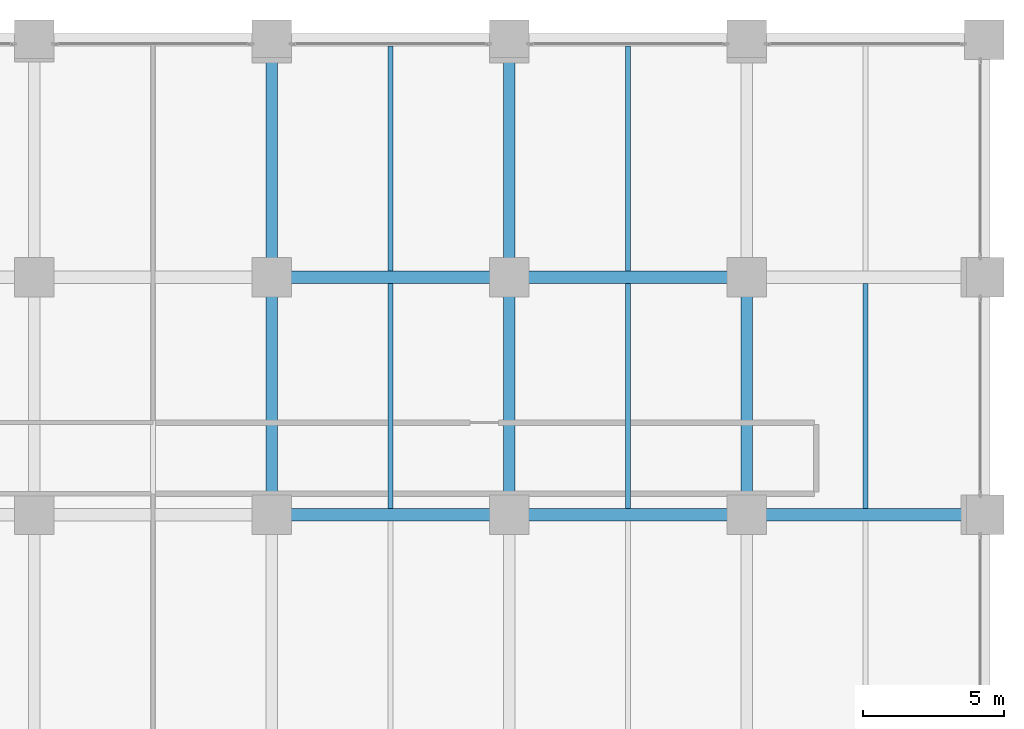
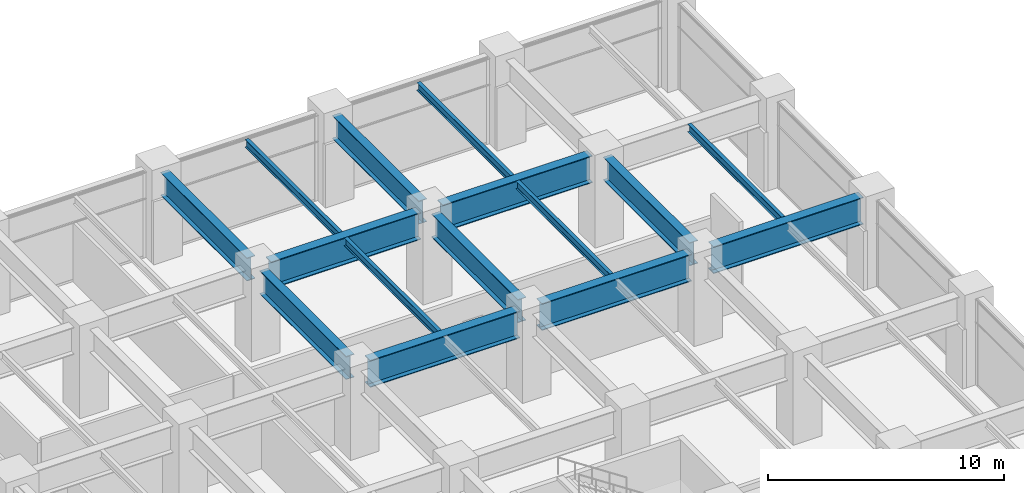
# One storey, part 14 of 24: 15 beams.
"""IFC4 building model written with IfcOpenShell, lengths in metres."""

from ifc_helpers import new_model, si_unit, direction, frame, origin, origin_2d, place, context, subcontext, project, spatial, i_section, extrude, material, material_profile, profile_set, type_object, element, save


model = new_model("IFC4")

# Units and contexts
model_context = context("Model", 3, precision=1e-05, world=origin(), true_north=direction((0.0, 1.0)))
body_context = subcontext(model_context, "Body", "Model", "MODEL_VIEW")
ifc_project = project(units=[si_unit("LENGTHUNIT", "METRE"), si_unit("AREAUNIT", "SQUARE_METRE"), si_unit("VOLUMEUNIT", "CUBIC_METRE"), si_unit("PLANEANGLEUNIT", "RADIAN"), si_unit("MASSUNIT", "GRAM", prefix="KILO")], contexts=[model_context])

# Site, building, storey
site_placement = place(None, origin())
site = spatial("IfcSite", under=ifc_project, at=site_placement, CompositionType="ELEMENT")
building_placement = place(site_placement, origin())
building = spatial("IfcBuilding", under=site, at=building_placement, Name="Nerrivon Quay Data Exchange", CompositionType="ELEMENT")
storey_placement = place(building_placement, frame((0.0, 0.0, 15.0)))
storey = spatial("IfcBuildingStorey", under=building, at=storey_placement, Name="L03", CompositionType="ELEMENT", Elevation=15.0)

# Beams
ifc_material = material(Name="Steel Grade 350", Category="steel")
ifc_material_profile_1 = material_profile(ifc_material, i_section(OverallWidth=0.177978515625, OverallDepth=0.406005859375, WebThickness=0.0078125, FlangeThickness=0.0126953125, FilletRadius=0.011474609375, at=origin_2d()), Name="410UB59.7")
ifc_profile_set_1 = profile_set([ifc_material_profile_1], Name="Steel Grade 350")
beam_type_1 = type_object("IfcBeamType", Name="BM-J1-410UB60", PredefinedType="JOIST", material=ifc_profile_set_1)
for number, where, z_axis, x_axis, name in (
    (1, (37.800048828125, 33.824951171875, 4.2470703125), (0.0, 1.0, 0.0), (-1.0, 0.0, 0.0), "L03 Secondary Joist X=37.8 (33.6..42.0)"),
    (2, (37.800048828125, 42.22509765625, 4.2470703125), (0.0, 1.0, 0.0), (-1.0, 0.0, 0.0), "L03 Secondary Joist X=37.8 (42.0..50.4)"),
    (3, (46.199951171875, 33.824951171875, 4.2470703125), (0.0, 1.0, 0.0), (-1.0, 0.0, 0.0), "L03 Secondary Joist X=46.2 (33.6..42.0)"),
    (4, (46.199951171875, 42.22509765625, 4.2470703125), (0.0, 1.0, 0.0), (-1.0, 0.0, 0.0), "L03 Secondary Joist X=46.2 (42.0..50.4)"),
    (5, (54.60009765625, 33.824951171875, 4.2470703125), (0.0, 1.0, 0.0), (-1.0, 0.0, 0.0), "L03 Secondary Joist X=54.6 (33.6..42.0)"),
):
    element("IfcBeam", number, at=place(storey_placement, frame(where, z_axis=z_axis, x_axis=x_axis)), inside=storey, type_object=beam_type_1, Name=name, PredefinedType="JOIST", context=body_context, shape_type="SweptSolid", body=[
        extrude(i_section(OverallWidth=0.177978515625, OverallDepth=0.406005859375, WebThickness=0.0078125, FlangeThickness=0.0126953125, FilletRadius=0.011474609375, at=origin_2d()), origin(), (0.0, 0.0, 1.0), 7.949951171875),
    ])
ifc_material_profile_2 = material_profile(ifc_material, i_section(OverallWidth=0.449951171875, OverallDepth=1.39990234375, WebThickness=0.02001953125, FlangeThickness=0.0400390625, at=origin_2d()), Name="1400WG455")
ifc_profile_set_2 = profile_set([ifc_material_profile_2], Name="Steel Grade 350")
beam_type_2 = type_object("IfcBeamType", Name="BM-TG1-1400WG", PredefinedType="USERDEFINED", material=ifc_profile_set_2)
for number, where, z_axis, x_axis, name in (
    (6, (34.139892578125, 33.60009765625, 3.75), (1.0, 0.0, 0.0), (0.0, 1.0, 0.0), "L03 EW Girder Y=33.6 (33.6..42.0)"),
    (7, (42.5400390625, 33.60009765625, 3.75), (1.0, 0.0, 0.0), (0.0, 1.0, 0.0), "L03 EW Girder Y=33.6 (42.0..50.4)"),
    (8, (50.93994140625, 33.60009765625, 3.75), (1.0, 0.0, 0.0), (0.0, 1.0, 0.0), "L03 EW Girder Y=33.6 (50.4..58.8)"),
    (9, (34.139892578125, 42.0, 3.75), (1.0, 0.0, 0.0), (0.0, 1.0, 0.0), "L03 EW Girder Y=42.0 (33.6..42.0)"),
    (10, (42.5400390625, 42.0, 3.75), (1.0, 0.0, 0.0), (0.0, 1.0, 0.0), "L03 EW Girder Y=42.0 (42.0..50.4)"),
):
    element("IfcBeam", number, at=place(storey_placement, frame(where, z_axis=z_axis, x_axis=x_axis)), inside=storey, type_object=beam_type_2, Name=name, ObjectType="TRANSFER", PredefinedType="USERDEFINED", context=body_context, shape_type="SweptSolid", body=[
        extrude(i_section(OverallWidth=0.449951171875, OverallDepth=1.39990234375, WebThickness=0.02001953125, FlangeThickness=0.0400390625, at=origin_2d()), origin(), (0.0, 0.0, 1.0), 7.320068359375),
    ])
ifc_material_profile_3 = material_profile(ifc_material, i_section(OverallWidth=0.39990234375, OverallDepth=1.199951171875, WebThickness=0.01611328125, FlangeThickness=0.031982421875, at=origin_2d()), Name="1200WB342")
ifc_profile_set_3 = profile_set([ifc_material_profile_3], Name="Steel Grade 350")
beam_type_3 = type_object("IfcBeamType", Name="BM-TG2-1200WB", PredefinedType="USERDEFINED", material=ifc_profile_set_3)
for number, where, z_axis, x_axis, name in (
    (11, (33.60009765625, 34.139892578125, 3.85009765625), (0.0, 1.0, 0.0), (-1.0, 0.0, 0.0), "L03 NS Girder X=33.6 (33.6..42.0)"),
    (12, (33.60009765625, 42.5400390625, 3.85009765625), (0.0, 1.0, 0.0), (-1.0, 0.0, 0.0), "L03 NS Girder X=33.6 (42.0..50.4)"),
    (13, (42.0, 34.139892578125, 3.85009765625), (0.0, 1.0, 0.0), (-1.0, 0.0, 0.0), "L03 NS Girder X=42.0 (33.6..42.0)"),
    (14, (42.0, 42.5400390625, 3.85009765625), (0.0, 1.0, 0.0), (-1.0, 0.0, 0.0), "L03 NS Girder X=42.0 (42.0..50.4)"),
    (15, (50.39990234375, 34.139892578125, 3.85009765625), (0.0, 1.0, 0.0), (-1.0, 0.0, 0.0), "L03 NS Girder X=50.4 (33.6..42.0)"),
):
    element("IfcBeam", number, at=place(storey_placement, frame(where, z_axis=z_axis, x_axis=x_axis)), inside=storey, type_object=beam_type_3, Name=name, ObjectType="TRANSFER", PredefinedType="USERDEFINED", context=body_context, shape_type="SweptSolid", body=[
        extrude(i_section(OverallWidth=0.39990234375, OverallDepth=1.199951171875, WebThickness=0.01611328125, FlangeThickness=0.031982421875, at=origin_2d()), origin(), (0.0, 0.0, 1.0), 7.320068359375),
    ])

save(model, "model.ifc")
